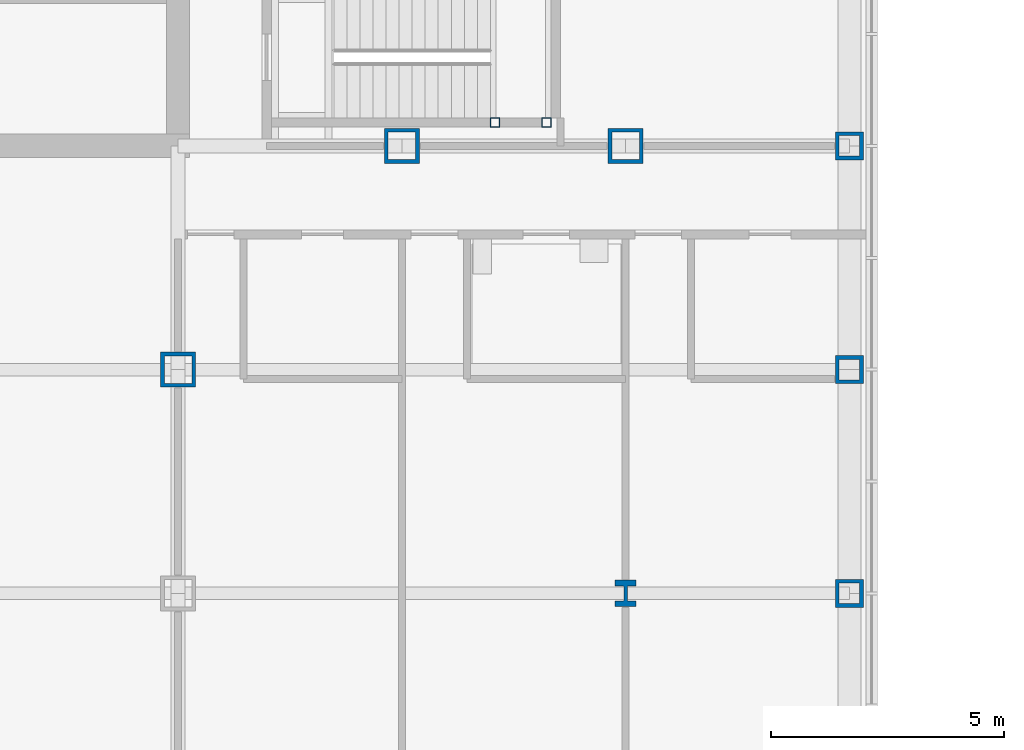
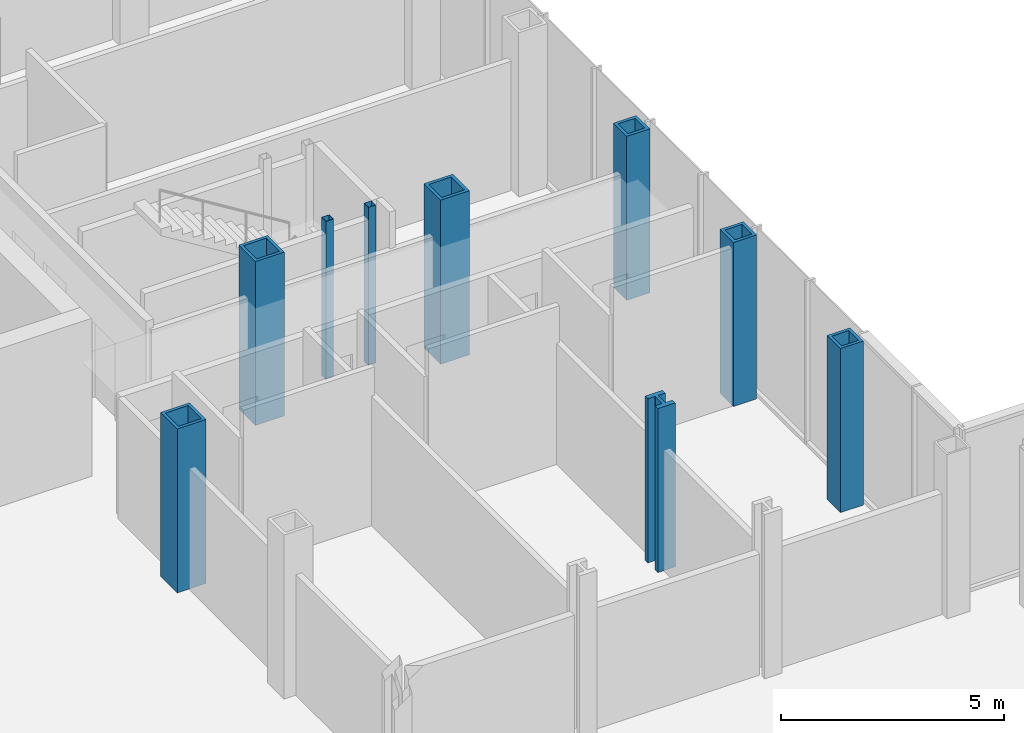
# One storey, part 6 of 26: 9 columns.
"""IFC4 building model written with IfcOpenShell, lengths in metres."""

from ifc_helpers import new_model, si_unit, direction, frame, origin, origin_2d, place, context, subcontext, project, spatial, hollow_rectangle, i_section, extrude, material, material_profile, profile_set, type_object, element, save


model = new_model("IFC4")

# Units and contexts
model_context = context("Model", 3, precision=1e-05, world=origin(), true_north=direction((0.0, 1.0)))
body_context = subcontext(model_context, "Body", "Model", "MODEL_VIEW")
ifc_project = project(units=[si_unit("LENGTHUNIT", "METRE"), si_unit("AREAUNIT", "SQUARE_METRE"), si_unit("VOLUMEUNIT", "CUBIC_METRE"), si_unit("PLANEANGLEUNIT", "RADIAN"), si_unit("MASSUNIT", "GRAM", prefix="KILO")], contexts=[model_context])

# Site, building, storey
site_placement = place(None, origin())
site = spatial("IfcSite", under=ifc_project, at=site_placement, CompositionType="ELEMENT")
building_placement = place(site_placement, origin())
building = spatial("IfcBuilding", under=site, at=building_placement, Name="Kvirike Care Tower", CompositionType="ELEMENT")
storey_placement = place(building_placement, frame((0.0, 0.0, 18.0)))
storey = spatial("IfcBuildingStorey", under=building, at=storey_placement, Name="L04", CompositionType="ELEMENT", Elevation=18.0)

# Columns
ifc_material_1 = material(Name="Steel S460", Category="steel")
ifc_material_profile_1 = material_profile(ifc_material_1, hollow_rectangle(XDim=0.60009765625, YDim=0.60009765625, WallThickness=0.080078125, at=origin_2d()), Name="BX 600x600x80")
ifc_profile_set_1 = profile_set([ifc_material_profile_1], Name="Steel S460")
column_type_1 = type_object("IfcColumnType", Name="COLUMN BX 600x600x80", PredefinedType="COLUMN", material=ifc_profile_set_1)
for number, where, z_axis, x_axis, name in (
    (1, (43.199951171875, 19.199951171875, 0.0), (0.0, 0.0, 1.0), (1.0, 0.0, 0.0), "Column E12 L04"),
    (2, (43.199951171875, 24.0, 0.0), (0.0, 0.0, 1.0), (1.0, 0.0, 0.0), "Column F12 L04"),
    (3, (43.199951171875, 28.800048828125, 0.0), (0.0, 0.0, 1.0), (0.0, 1.0, 0.0), "Column G12 L04"),
):
    element("IfcColumn", number, at=place(storey_placement, frame(where, z_axis=z_axis, x_axis=x_axis)), inside=storey, type_object=column_type_1, Name=name, PredefinedType="COLUMN", context=body_context, shape_type="SweptSolid", body=[
        extrude(hollow_rectangle(XDim=0.60009765625, YDim=0.60009765625, WallThickness=0.080078125, at=origin_2d()), origin(), (0.0, 0.0, 1.0), 4.5),
    ])
ifc_material_2 = material(Name="Steel S460", Category="steel")
ifc_material_profile_2 = material_profile(ifc_material_2, hollow_rectangle(XDim=0.75, YDim=0.75, WallThickness=0.080078125, at=origin_2d()), Name="BX 750x750x80")
ifc_profile_set_2 = profile_set([ifc_material_profile_2], Name="Steel S460")
column_type_2 = type_object("IfcColumnType", Name="COLUMN BX 750x750x80", PredefinedType="COLUMN", material=ifc_profile_set_2)
for number, where, z_axis, x_axis, name in (
    (4, (28.800048828125, 24.0, 0.0), (0.0, 0.0, 1.0), (1.0, 0.0, 0.0), "Column F9 L04"),
    (5, (33.60009765625, 28.800048828125, 0.0), (0.0, 0.0, 1.0), (0.0, 1.0, 0.0), "Column G10 L04"),
    (6, (38.39990234375, 28.800048828125, 0.0), (0.0, 0.0, 1.0), (0.0, 1.0, 0.0), "Column G11 L04"),
):
    element("IfcColumn", number, at=place(storey_placement, frame(where, z_axis=z_axis, x_axis=x_axis)), inside=storey, type_object=column_type_2, Name=name, PredefinedType="COLUMN", context=body_context, shape_type="SweptSolid", body=[
        extrude(hollow_rectangle(XDim=0.75, YDim=0.75, WallThickness=0.080078125, at=origin_2d()), origin(), (0.0, 0.0, 1.0), 4.5),
    ])
ifc_material_3 = material(Name="Steel S460", Category="steel")
ifc_material_profile_3 = material_profile(ifc_material_3, i_section(OverallWidth=0.4541015625, OverallDepth=0.569091796875, WebThickness=0.077880859375, FlangeThickness=0.125, FilletRadius=0.014892578125, at=origin_2d()), Name="HD 400x1086")
ifc_profile_set_3 = profile_set([ifc_material_profile_3], Name="Steel S460")
column_type_3 = type_object("IfcColumnType", Name="COLUMN HD 400x1086", PredefinedType="COLUMN", material=ifc_profile_set_3)
column_placement = place(storey_placement, frame((38.39990234375, 19.199951171875, 0.0), z_axis=(0.0, 0.0, 1.0), x_axis=(1.0, 0.0, 0.0)))
element("IfcColumn", 7, at=column_placement, inside=storey, type_object=column_type_3, Name="Column E11 L04", PredefinedType="COLUMN", context=body_context, shape_type="SweptSolid", body=[
    extrude(i_section(OverallWidth=0.4541015625, OverallDepth=0.569091796875, WebThickness=0.077880859375, FlangeThickness=0.125, FilletRadius=0.014892578125, at=origin_2d()), origin(), (0.0, 0.0, 1.0), 4.5),
])
ifc_material_4 = material(Name="Steel S460", Category="steel")
ifc_material_profile_4 = material_profile(ifc_material_4, hollow_rectangle(XDim=0.199951171875, YDim=0.199951171875, WallThickness=0.008056640625, at=origin_2d()), Name="SHS 200x200x8")
ifc_profile_set_4 = profile_set([ifc_material_profile_4], Name="Steel S460")
column_type_4 = type_object("IfcColumnType", Name="STAIR POST SHS 200x200x8", PredefinedType="COLUMN", material=ifc_profile_set_4)
for number, where, z_axis, x_axis, name in (
    (8, (36.699951171875, 29.300048828125, 0.0), (0.0, 0.0, 1.0), (1.0, 0.0, 0.0), "Stair 2 post 1 L04"),
    (9, (35.60009765625, 29.300048828125, 0.0), (0.0, 0.0, 1.0), (1.0, 0.0, 0.0), "Stair 2 post 3 L04"),
):
    element("IfcColumn", number, at=place(storey_placement, frame(where, z_axis=z_axis, x_axis=x_axis)), inside=storey, type_object=column_type_4, Name=name, PredefinedType="COLUMN", context=body_context, shape_type="SweptSolid", body=[
        extrude(hollow_rectangle(XDim=0.199951171875, YDim=0.199951171875, WallThickness=0.008056640625, at=origin_2d()), origin(), (0.0, 0.0, 1.0), 4.330078125),
    ])

save(model, "model.ifc")
